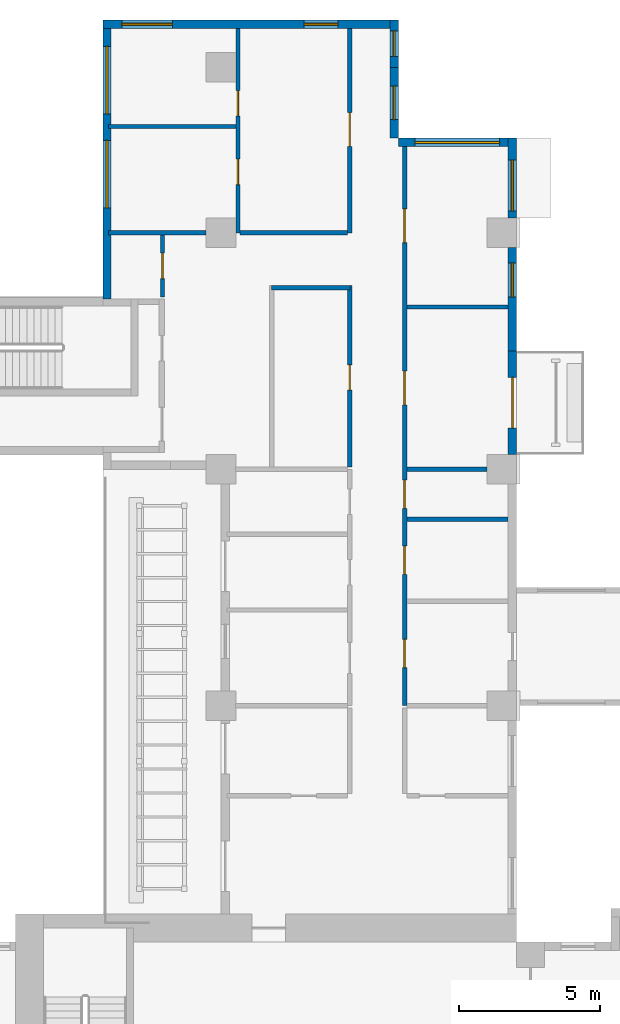
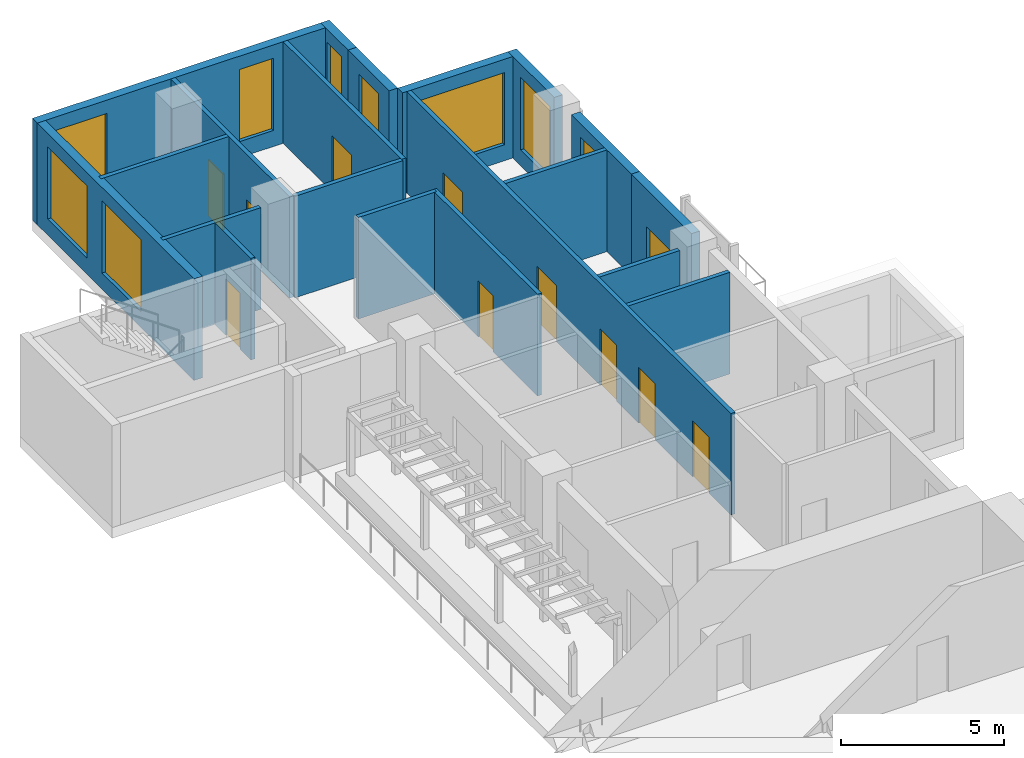
# One storey, part 9 of 16: 20 walls, 11 doors, 9 windows, 20 openings.
"""IFC4 building model written with IfcOpenShell, lengths in metres."""

from ifc_helpers import new_model, si_unit, direction, frame, frame_2d, origin, place, context, subcontext, project, spatial, rectangle, extrude, source, transform, mapped, material, layer, layer_set, type_object, element, fill, save


model = new_model("IFC4")

# Units and contexts
model_context = context("Model", 3, precision=1e-05, world=origin(), true_north=direction((0.0, 1.0)))
body_context = subcontext(model_context, "Body", "Model", "MODEL_VIEW")
ifc_project = project(units=[si_unit("LENGTHUNIT", "METRE"), si_unit("AREAUNIT", "SQUARE_METRE"), si_unit("VOLUMEUNIT", "CUBIC_METRE"), si_unit("PLANEANGLEUNIT", "RADIAN"), si_unit("MASSUNIT", "GRAM", prefix="KILO")], contexts=[model_context])

# Site, building, storey
site_placement = place(None, origin())
site = spatial("IfcSite", under=ifc_project, at=site_placement, CompositionType="ELEMENT")
building_placement = place(site_placement, origin())
building = spatial("IfcBuilding", under=site, at=building_placement, Name="Aurelian Terraces", CompositionType="ELEMENT")
storey_placement = place(building_placement, frame((0.0, 0.0, 124.5)))
storey = spatial("IfcBuildingStorey", under=building, at=storey_placement, Name="L27", CompositionType="ELEMENT", Elevation=124.5)

# Wall, opening, window
ifc_material_1 = material(Name="Terracotta rainscreen cladding", Category="masonry")
ifc_layer_1 = layer(ifc_material_1, 0.3)
ifc_layer_set_1 = layer_set([ifc_layer_1], Name="EW-300")
wall_type_1 = type_object("IfcWallType", Name="EW-300", PredefinedType="STANDARD", material=ifc_layer_set_1)
shared_shape_1 = source(origin(), body_context, "Body", "SweptSolid", [
    extrude(rectangle(XDim=4.2, YDim=0.3, at=frame_2d((2.1, 0.0))), origin(), (0.0, 0.0, 1.0), 3.8),
])
wall_1_placement = place(storey_placement, frame((21.0, 49.41, 0.0), z_axis=(0.0, 0.0, 1.0), x_axis=(-1.0, 0.0, 0.0)))
wall_1 = element("IfcWall", 1, at=wall_1_placement, inside=storey, type_object=wall_type_1, Name="External wall L27 F09.29", PredefinedType="STANDARD", context=body_context, shape_type="MappedRepresentation", body=[
    mapped(shared_shape_1, transform((0.0, 0.0, 0.0), scale=1.0)),
])
shared_shape_2 = source(origin(), body_context, "Body", "SweptSolid", [
    extrude(rectangle(XDim=3.0, YDim=2.7, at=frame_2d((1.5, 1.35))), frame((0.0, 0.16, 0.0), z_axis=(0.0, -1.0, 0.0), x_axis=(1.0, 0.0, 0.0)), (0.0, 0.0, 1.0), 0.32),
])
opening_1_placement = place(wall_1_placement, frame((0.6, 0.0, 0.6)))
opening_1 = element("IfcOpeningElement", 2, at=opening_1_placement, cuts=wall_1, Name="Opening W3027", PredefinedType="OPENING", context=body_context, shape_type="MappedRepresentation", body=[
    mapped(shared_shape_2, transform((0.0, 0.0, 0.0), scale=1.0)),
])
ifc_material_2 = material(Name="Clear glazing", Category="glass")
window_type_1 = type_object("IfcWindowType", Name="W-3000x2700", PartitioningType="SINGLE_PANEL", PredefinedType="WINDOW", material=ifc_material_2)
shared_shape_3 = source(origin(), body_context, "Body", "SweptSolid", [
    extrude(rectangle(XDim=3.0, YDim=2.7, at=frame_2d((1.5, 1.35))), frame((0.0, 0.03, 0.0), z_axis=(0.0, -1.0, 0.0), x_axis=(1.0, 0.0, 0.0)), (0.0, 0.0, 1.0), 0.06),
])
window_1_placement = place(opening_1_placement, origin())
window_1 = element("IfcWindow", 3, at=window_1_placement, inside=storey, type_object=window_type_1, Name="Window L27 L27-F09-29-0", OverallHeight=2.7, OverallWidth=3.0, PartitioningType="SINGLE_PANEL", PredefinedType="WINDOW", context=body_context, shape_type="MappedRepresentation", body=[
    mapped(shared_shape_3, transform((0.0, 0.0, 0.0), scale=1.0)),
])
fill(opening_1, window_1)

shared_shape_4 = source(origin(), body_context, "Body", "SweptSolid", [
    extrude(rectangle(XDim=2.52, YDim=0.3, at=frame_2d((1.26, 0.0))), origin(), (0.0, 0.0, 1.0), 3.8),
])
wall_2_placement = place(storey_placement, frame((16.65, 49.56, 0.0), z_axis=(0.0, 0.0, 1.0), x_axis=(0.0, 1.0, 0.0)))
wall_2 = element("IfcWall", 4, at=wall_2_placement, inside=storey, type_object=wall_type_1, Name="External wall L27 F10.30", PredefinedType="STANDARD", context=body_context, shape_type="MappedRepresentation", body=[
    mapped(shared_shape_4, transform((0.0, 0.0, 0.0), scale=1.0)),
])
shared_shape_5 = source(origin(), body_context, "Body", "SweptSolid", [
    extrude(rectangle(XDim=1.2, YDim=2.7, at=frame_2d((0.6, 1.35))), frame((0.0, 0.16, 0.0), z_axis=(0.0, -1.0, 0.0), x_axis=(1.0, 0.0, 0.0)), (0.0, 0.0, 1.0), 0.32),
])
opening_2_placement = place(wall_2_placement, frame((0.66, 0.0, 0.6)))
opening_2 = element("IfcOpeningElement", 5, at=opening_2_placement, cuts=wall_2, Name="Opening W1227", PredefinedType="OPENING", context=body_context, shape_type="MappedRepresentation", body=[
    mapped(shared_shape_5, transform((0.0, 0.0, 0.0), scale=1.0)),
])
window_type_2 = type_object("IfcWindowType", Name="W-1200x2700", PartitioningType="SINGLE_PANEL", PredefinedType="WINDOW", material=ifc_material_2)
shared_shape_6 = source(origin(), body_context, "Body", "SweptSolid", [
    extrude(rectangle(XDim=1.2, YDim=2.7, at=frame_2d((0.6, 1.35))), frame((0.0, 0.03, 0.0), z_axis=(0.0, -1.0, 0.0), x_axis=(1.0, 0.0, 0.0)), (0.0, 0.0, 1.0), 0.06),
])
window_2_placement = place(opening_2_placement, origin())
window_2 = element("IfcWindow", 6, at=window_2_placement, inside=storey, type_object=window_type_2, Name="Window L27 L27-F10-30-0", OverallHeight=2.7, OverallWidth=1.2, PartitioningType="SINGLE_PANEL", PredefinedType="WINDOW", context=body_context, shape_type="MappedRepresentation", body=[
    mapped(shared_shape_6, transform((0.0, 0.0, 0.0), scale=1.0)),
])
fill(opening_2, window_2)

shared_shape_7 = source(origin(), body_context, "Body", "SweptSolid", [
    extrude(rectangle(XDim=1.68, YDim=0.3, at=frame_2d((0.84, 0.0))), origin(), (0.0, 0.0, 1.0), 3.8),
])
wall_3_placement = place(storey_placement, frame((16.65, 52.08, 0.0), z_axis=(0.0, 0.0, 1.0), x_axis=(0.0, 1.0, 0.0)))
wall_3 = element("IfcWall", 7, at=wall_3_placement, inside=storey, type_object=wall_type_1, Name="External wall L27 F10.31", PredefinedType="STANDARD", context=body_context, shape_type="MappedRepresentation", body=[
    mapped(shared_shape_7, transform((0.0, 0.0, 0.0), scale=1.0)),
])
shared_shape_8 = source(origin(), body_context, "Body", "SweptSolid", [
    extrude(rectangle(XDim=0.9, YDim=2.7, at=frame_2d((0.45, 1.35))), frame((0.0, 0.16, 0.0), z_axis=(0.0, -1.0, 0.0), x_axis=(1.0, 0.0, 0.0)), (0.0, 0.0, 1.0), 0.32),
])
opening_3_placement = place(wall_3_placement, frame((0.39, 0.0, 0.6)))
opening_3 = element("IfcOpeningElement", 8, at=opening_3_placement, cuts=wall_3, Name="Opening W0927", PredefinedType="OPENING", context=body_context, shape_type="MappedRepresentation", body=[
    mapped(shared_shape_8, transform((0.0, 0.0, 0.0), scale=1.0)),
])
window_type_3 = type_object("IfcWindowType", Name="W-900x2700", PartitioningType="SINGLE_PANEL", PredefinedType="WINDOW", material=ifc_material_2)
shared_shape_9 = source(origin(), body_context, "Body", "SweptSolid", [
    extrude(rectangle(XDim=0.9, YDim=2.7, at=frame_2d((0.45, 1.35))), frame((0.0, 0.03, 0.0), z_axis=(0.0, -1.0, 0.0), x_axis=(1.0, 0.0, 0.0)), (0.0, 0.0, 1.0), 0.06),
])
window_3_placement = place(opening_3_placement, origin())
window_3 = element("IfcWindow", 9, at=window_3_placement, inside=storey, type_object=window_type_3, Name="Window L27 L27-F10-31-P0", OverallHeight=2.7, OverallWidth=0.9, PartitioningType="SINGLE_PANEL", PredefinedType="WINDOW", context=body_context, shape_type="MappedRepresentation", body=[
    mapped(shared_shape_9, transform((0.0, 0.0, 0.0), scale=1.0)),
])
fill(opening_3, window_3)

shared_shape_10 = source(origin(), body_context, "Body", "SweptSolid", [
    extrude(rectangle(XDim=2.835, YDim=0.3, at=frame_2d((1.4175, 0.0))), origin(), (0.0, 0.0, 1.0), 3.8),
])
wall_4_placement = place(storey_placement, frame((20.85, 46.725, 0.0), z_axis=(0.0, 0.0, 1.0), x_axis=(0.0, 1.0, 0.0)))
wall_4 = element("IfcWall", 10, at=wall_4_placement, inside=storey, type_object=wall_type_1, Name="External wall L27 F08.28", PredefinedType="STANDARD", context=body_context, shape_type="MappedRepresentation", body=[
    mapped(shared_shape_10, transform((0.0, 0.0, 0.0), scale=1.0)),
])
shared_shape_11 = source(origin(), body_context, "Body", "SweptSolid", [
    extrude(rectangle(XDim=1.8, YDim=2.7, at=frame_2d((0.9, 1.35))), frame((0.0, 0.16, 0.0), z_axis=(0.0, -1.0, 0.0), x_axis=(1.0, 0.0, 0.0)), (0.0, 0.0, 1.0), 0.32),
])
opening_4_placement = place(wall_4_placement, frame((0.255, 0.0, 0.6)))
opening_4 = element("IfcOpeningElement", 11, at=opening_4_placement, cuts=wall_4, Name="Opening W1827", PredefinedType="OPENING", context=body_context, shape_type="MappedRepresentation", body=[
    mapped(shared_shape_11, transform((0.0, 0.0, 0.0), scale=1.0)),
])
window_type_4 = type_object("IfcWindowType", Name="W-1800x2700", PartitioningType="SINGLE_PANEL", PredefinedType="WINDOW", material=ifc_material_2)
shared_shape_12 = source(origin(), body_context, "Body", "SweptSolid", [
    extrude(rectangle(XDim=1.8, YDim=2.7, at=frame_2d((0.9, 1.35))), frame((0.0, 0.03, 0.0), z_axis=(0.0, -1.0, 0.0), x_axis=(1.0, 0.0, 0.0)), (0.0, 0.0, 1.0), 0.06),
])
window_4_placement = place(opening_4_placement, origin())
window_4 = element("IfcWindow", 12, at=window_4_placement, inside=storey, type_object=window_type_4, Name="Window L27 L27-F08-28-0", OverallHeight=2.7, OverallWidth=1.8, PartitioningType="SINGLE_PANEL", PredefinedType="WINDOW", context=body_context, shape_type="MappedRepresentation", body=[
    mapped(shared_shape_12, transform((0.0, 0.0, 0.0), scale=1.0)),
])
fill(opening_4, window_4)

# Wall, openings, windows
shared_shape_13 = source(origin(), body_context, "Body", "SweptSolid", [
    extrude(rectangle(XDim=10.5, YDim=0.3, at=frame_2d((5.25, 0.0))), origin(), (0.0, 0.0, 1.0), 3.8),
])
wall_5_placement = place(storey_placement, frame((16.8, 53.61, 0.0), z_axis=(0.0, 0.0, 1.0), x_axis=(-1.0, 0.0, 0.0)))
wall_5 = element("IfcWall", 13, at=wall_5_placement, inside=storey, type_object=wall_type_1, Name="External wall L27 F11.32", PredefinedType="STANDARD", context=body_context, shape_type="MappedRepresentation", body=[
    mapped(shared_shape_13, transform((0.0, 0.0, 0.0), scale=1.0)),
])
opening_5_placement = place(wall_5_placement, frame((2.15, 0.0, 0.6)))
opening_5 = element("IfcOpeningElement", 14, at=opening_5_placement, cuts=wall_5, Name="Opening W1227", PredefinedType="OPENING", context=body_context, shape_type="MappedRepresentation", body=[
    mapped(shared_shape_5, transform((0.0, 0.0, 0.0), scale=1.0)),
])
opening_6_placement = place(wall_5_placement, frame((8.025, 0.0, 0.6)))
opening_6 = element("IfcOpeningElement", 15, at=opening_6_placement, cuts=wall_5, Name="Opening W1827", PredefinedType="OPENING", context=body_context, shape_type="MappedRepresentation", body=[
    mapped(shared_shape_11, transform((0.0, 0.0, 0.0), scale=1.0)),
])
window_5_placement = place(opening_6_placement, origin())
window_5 = element("IfcWindow", 16, at=window_5_placement, inside=storey, type_object=window_type_4, Name="Window L27 L27-F11-32-2", OverallHeight=2.7, OverallWidth=1.8, PartitioningType="SINGLE_PANEL", PredefinedType="WINDOW", context=body_context, shape_type="MappedRepresentation", body=[
    mapped(shared_shape_12, transform((0.0, 0.0, 0.0), scale=1.0)),
])
fill(opening_6, window_5)
window_6_placement = place(opening_5_placement, origin())
window_6 = element("IfcWindow", 17, at=window_6_placement, inside=storey, type_object=window_type_2, Name="Window L27 L27-F11-32-0", OverallHeight=2.7, OverallWidth=1.2, PartitioningType="SINGLE_PANEL", PredefinedType="WINDOW", context=body_context, shape_type="MappedRepresentation", body=[
    mapped(shared_shape_6, transform((0.0, 0.0, 0.0), scale=1.0)),
])
fill(opening_5, window_6)

shared_shape_14 = source(origin(), body_context, "Body", "SweptSolid", [
    extrude(rectangle(XDim=9.91, YDim=0.3, at=frame_2d((4.955, 0.0))), origin(), (0.0, 0.0, 1.0), 3.8),
])
wall_6_placement = place(storey_placement, frame((6.45, 53.76, 0.0), z_axis=(0.0, 0.0, 1.0), x_axis=(0.0, -1.0, 0.0)))
wall_6 = element("IfcWall", 18, at=wall_6_placement, inside=storey, type_object=wall_type_1, Name="External wall L27 F12.33", PredefinedType="STANDARD", context=body_context, shape_type="MappedRepresentation", body=[
    mapped(shared_shape_14, transform((0.0, 0.0, 0.0), scale=1.0)),
])
shared_shape_15 = source(origin(), body_context, "Body", "SweptSolid", [
    extrude(rectangle(XDim=2.4, YDim=2.7, at=frame_2d((1.2, 1.35))), frame((0.0, 0.16, 0.0), z_axis=(0.0, -1.0, 0.0), x_axis=(1.0, 0.0, 0.0)), (0.0, 0.0, 1.0), 0.32),
])
opening_7_placement = place(wall_6_placement, frame((4.2725, 0.0, 0.6)))
opening_7 = element("IfcOpeningElement", 19, at=opening_7_placement, cuts=wall_6, Name="Opening W2427", PredefinedType="OPENING", context=body_context, shape_type="MappedRepresentation", body=[
    mapped(shared_shape_15, transform((0.0, 0.0, 0.0), scale=1.0)),
])
opening_8_placement = place(wall_6_placement, frame((0.9363, 0.0, 0.6)))
opening_8 = element("IfcOpeningElement", 20, at=opening_8_placement, cuts=wall_6, Name="Opening W2427", PredefinedType="OPENING", context=body_context, shape_type="MappedRepresentation", body=[
    mapped(shared_shape_15, transform((0.0, 0.0, 0.0), scale=1.0)),
])
window_type_5 = type_object("IfcWindowType", Name="W-2400x2700", PartitioningType="SINGLE_PANEL", PredefinedType="WINDOW", material=ifc_material_2)
shared_shape_16 = source(origin(), body_context, "Body", "SweptSolid", [
    extrude(rectangle(XDim=2.4, YDim=2.7, at=frame_2d((1.2, 1.35))), frame((0.0, 0.03, 0.0), z_axis=(0.0, -1.0, 0.0), x_axis=(1.0, 0.0, 0.0)), (0.0, 0.0, 1.0), 0.06),
])
window_7_placement = place(opening_7_placement, origin())
window_7 = element("IfcWindow", 21, at=window_7_placement, inside=storey, type_object=window_type_5, Name="Window L27 L27-F12-33-1", OverallHeight=2.7, OverallWidth=2.4, PartitioningType="SINGLE_PANEL", PredefinedType="WINDOW", context=body_context, shape_type="MappedRepresentation", body=[
    mapped(shared_shape_16, transform((0.0, 0.0, 0.0), scale=1.0)),
])
fill(opening_7, window_7)
window_8_placement = place(opening_8_placement, origin())
window_8 = element("IfcWindow", 22, at=window_8_placement, inside=storey, type_object=window_type_5, Name="Window L27 L27-F12-33-G0-0", OverallHeight=2.7, OverallWidth=2.4, PartitioningType="SINGLE_PANEL", PredefinedType="WINDOW", context=body_context, shape_type="MappedRepresentation", body=[
    mapped(shared_shape_16, transform((0.0, 0.0, 0.0), scale=1.0)),
])
fill(opening_8, window_8)

# Wall, opening, door
shared_shape_17 = source(origin(), body_context, "Body", "SweptSolid", [
    extrude(rectangle(XDim=3.675, YDim=0.3, at=frame_2d((1.8375, 0.0))), origin(), (0.0, 0.0, 1.0), 3.8),
])
wall_7_placement = place(storey_placement, frame((20.85, 38.325, 0.0), z_axis=(0.0, 0.0, 1.0), x_axis=(0.0, 1.0, 0.0)))
wall_7 = element("IfcWall", 23, at=wall_7_placement, inside=storey, type_object=wall_type_1, Name="External wall L27 F08.26", PredefinedType="STANDARD", context=body_context, shape_type="MappedRepresentation", body=[
    mapped(shared_shape_17, transform((0.0, 0.0, 0.0), scale=1.0)),
])
shared_shape_18 = source(origin(), body_context, "Body", "SweptSolid", [
    extrude(rectangle(XDim=1.8, YDim=2.4, at=frame_2d((0.9, 1.2))), frame((0.0, 0.16, 0.0), z_axis=(0.0, -1.0, 0.0), x_axis=(1.0, 0.0, 0.0)), (0.0, 0.0, 1.0), 0.32),
])
opening_9_placement = place(wall_7_placement, frame((0.9375, 0.0, 0.0)))
opening_9 = element("IfcOpeningElement", 24, at=opening_9_placement, cuts=wall_7, Name="Opening 82702", PredefinedType="OPENING", context=body_context, shape_type="MappedRepresentation", body=[
    mapped(shared_shape_18, transform((0.0, 0.0, 0.0), scale=1.0)),
])
door_type_1 = type_object("IfcDoorType", Name="BD-1800x2400", OperationType="SLIDING_TO_LEFT", PredefinedType="DOOR", material=ifc_material_2)
shared_shape_19 = source(origin(), body_context, "Body", "SweptSolid", [
    extrude(rectangle(XDim=1.8, YDim=2.4, at=frame_2d((0.9, 1.2))), frame((0.0, 0.025, 0.0), z_axis=(0.0, -1.0, 0.0), x_axis=(1.0, 0.0, 0.0)), (0.0, 0.0, 1.0), 0.05),
])
door_1_placement = place(opening_9_placement, origin())
door_1 = element("IfcDoor", 25, at=door_1_placement, inside=storey, type_object=door_type_1, Name="Balcony door L27 F08.26", OperationType="SLIDING_TO_LEFT", OverallHeight=2.4, OverallWidth=1.8, PredefinedType="DOOR", context=body_context, shape_type="MappedRepresentation", body=[
    mapped(shared_shape_19, transform((0.0, 0.0, 0.0), scale=1.0)),
])
fill(opening_9, door_1)

# Wall, opening, window
wall_8_placement = place(storey_placement, frame((20.85, 42.0, 0.0), z_axis=(0.0, 0.0, 1.0), x_axis=(0.0, 1.0, 0.0)))
wall_8 = element("IfcWall", 26, at=wall_8_placement, inside=storey, type_object=wall_type_1, Name="External wall L27 F08.27", PredefinedType="STANDARD", context=body_context, shape_type="MappedRepresentation", body=[
    mapped(shared_shape_17, transform((0.0, 0.0, 0.0), scale=1.0)),
])
opening_10_placement = place(wall_8_placement, frame((1.9215, 0.0, 0.6)))
opening_10 = element("IfcOpeningElement", 27, at=opening_10_placement, cuts=wall_8, Name="Opening W1227", PredefinedType="OPENING", context=body_context, shape_type="MappedRepresentation", body=[
    mapped(shared_shape_5, transform((0.0, 0.0, 0.0), scale=1.0)),
])
window_9_placement = place(opening_10_placement, origin())
window_9 = element("IfcWindow", 28, at=window_9_placement, inside=storey, type_object=window_type_2, Name="Window L27 L27-F08-27-0", OverallHeight=2.7, OverallWidth=1.2, PartitioningType="SINGLE_PANEL", PredefinedType="WINDOW", context=body_context, shape_type="MappedRepresentation", body=[
    mapped(shared_shape_6, transform((0.0, 0.0, 0.0), scale=1.0)),
])
fill(opening_10, window_9)

# Wall, opening, door
ifc_material_3 = material(Name="Gypsum board on steel studs", Category="steel")
ifc_layer_2 = layer(ifc_material_3, 0.15)
ifc_layer_set_2 = layer_set([ifc_layer_2], Name="Fire partition 150")
wall_type_2 = type_object("IfcWallType", Name="Fire partition 150", PredefinedType="PARTITIONING", material=ifc_layer_set_2)
shared_shape_20 = source(origin(), body_context, "Body", "SweptSolid", [
    extrude(rectangle(XDim=6.45, YDim=0.15, at=frame_2d((3.225, 0.0))), origin(), (0.0, 0.0, 1.0), 3.8),
])
wall_9_placement = place(storey_placement, frame((15.075, 37.875, 0.0), z_axis=(0.0, 0.0, 1.0), x_axis=(0.0, 1.0, 0.0)))
wall_9 = element("IfcWall", 29, at=wall_9_placement, inside=storey, type_object=wall_type_2, Name="Corridor wall", PredefinedType="PARTITIONING", context=body_context, shape_type="MappedRepresentation", body=[
    mapped(shared_shape_20, transform((0.0, 0.0, 0.0), scale=1.0)),
])
shared_shape_21 = source(origin(), body_context, "Body", "SweptSolid", [
    extrude(rectangle(XDim=0.9, YDim=2.1, at=frame_2d((0.45, 1.05))), frame((0.0, 0.085, 0.0), z_axis=(0.0, -1.0, 0.0), x_axis=(1.0, 0.0, 0.0)), (0.0, 0.0, 1.0), 0.17),
])
opening_11_placement = place(wall_9_placement, frame((2.7375, 0.0, 0.0)))
opening_11 = element("IfcOpeningElement", 30, at=opening_11_placement, cuts=wall_9, Name="Opening 727029", PredefinedType="OPENING", context=body_context, shape_type="MappedRepresentation", body=[
    mapped(shared_shape_21, transform((0.0, 0.0, 0.0), scale=1.0)),
])
ifc_material_4 = material(Name="Timber door leaf", Category="wood")
door_type_2 = type_object("IfcDoorType", Name="Room door 900x2100 right", OperationType="SINGLE_SWING_RIGHT", PredefinedType="DOOR", material=ifc_material_4)
shared_shape_22 = source(origin(), body_context, "Body", "SweptSolid", [
    extrude(rectangle(XDim=0.9, YDim=2.1, at=frame_2d((0.45, 1.05))), frame((0.0, 0.025, 0.0), z_axis=(0.0, -1.0, 0.0), x_axis=(1.0, 0.0, 0.0)), (0.0, 0.0, 1.0), 0.05),
])
door_2_placement = place(opening_11_placement, origin())
door_2 = element("IfcDoor", 31, at=door_2_placement, inside=storey, type_object=door_type_2, Name="Door 727029", OperationType="SINGLE_SWING_RIGHT", OverallHeight=2.1, OverallWidth=0.9, PredefinedType="DOOR", context=body_context, shape_type="MappedRepresentation", body=[
    mapped(shared_shape_22, transform((0.0, 0.0, 0.0), scale=1.0)),
])
fill(opening_11, door_2)

# Walls
ifc_layer_3 = layer(ifc_material_3, 0.15)
ifc_layer_set_3 = layer_set([ifc_layer_3], Name="Partition 150")
wall_type_3 = type_object("IfcWallType", Name="Partition 150", PredefinedType="PARTITIONING", material=ifc_layer_set_3)
shared_shape_23 = source(origin(), body_context, "Body", "SweptSolid", [
    extrude(rectangle(XDim=3.6, YDim=0.15, at=frame_2d((1.8, 0.0))), origin(), (0.0, 0.0, 1.0), 3.8),
])
for number, where, z_axis, x_axis, name in (
    (32, (17.1, 36.024, 0.0), (0.0, 0.0, 1.0), (1.0, 0.0, 0.0), "Partition"),
    (33, (17.1, 43.5675, 0.0), (0.0, 0.0, 1.0), (1.0, 0.0, 0.0), "Partition"),
):
    element("IfcWall", number, at=place(storey_placement, frame(where, z_axis=z_axis, x_axis=x_axis)), inside=storey, type_object=wall_type_3, Name=name, PredefinedType="PARTITIONING", context=body_context, shape_type="MappedRepresentation", body=[
        mapped(shared_shape_23, transform((0.0, 0.0, 0.0), scale=1.0)),
    ])

# Wall, opening, door
shared_shape_24 = source(origin(), body_context, "Body", "SweptSolid", [
    extrude(rectangle(XDim=2.2, YDim=0.15, at=frame_2d((1.1, 0.0))), origin(), (0.0, 0.0, 1.0), 3.8),
])
wall_10_placement = place(storey_placement, frame((8.425, 43.925, 0.0), z_axis=(0.0, 0.0, 1.0), x_axis=(0.0, 1.0, 0.0)))
wall_10 = element("IfcWall", 34, at=wall_10_placement, inside=storey, type_object=wall_type_3, Name="Partition", PredefinedType="PARTITIONING", context=body_context, shape_type="MappedRepresentation", body=[
    mapped(shared_shape_24, transform((0.0, 0.0, 0.0), scale=1.0)),
])
opening_12_placement = place(wall_10_placement, frame((0.65, 0.0, 0.0)))
opening_12 = element("IfcOpeningElement", 35, at=opening_12_placement, cuts=wall_10, Name="Opening 727030", PredefinedType="OPENING", context=body_context, shape_type="MappedRepresentation", body=[
    mapped(shared_shape_21, transform((0.0, 0.0, 0.0), scale=1.0)),
])
door_3_placement = place(opening_12_placement, origin())
door_3 = element("IfcDoor", 36, at=door_3_placement, inside=storey, type_object=door_type_2, Name="Door 727030", OperationType="SINGLE_SWING_RIGHT", OverallHeight=2.1, OverallWidth=0.9, PredefinedType="DOOR", context=body_context, shape_type="MappedRepresentation", body=[
    mapped(shared_shape_22, transform((0.0, 0.0, 0.0), scale=1.0)),
])
fill(opening_12, door_3)

# Wall
shared_shape_25 = source(origin(), body_context, "Body", "SweptSolid", [
    extrude(rectangle(XDim=2.775, YDim=0.15, at=frame_2d((1.3875, 0.0))), origin(), (0.0, 0.0, 1.0), 3.8),
])
wall_11_placement = place(storey_placement, frame((15.075, 44.25, 0.0), z_axis=(0.0, 0.0, 1.0), x_axis=(-1.0, 0.0, 0.0)))
element("IfcWall", 37, at=wall_11_placement, inside=storey, type_object=wall_type_3, Name="Partition", PredefinedType="PARTITIONING", context=body_context, shape_type="MappedRepresentation", body=[
    mapped(shared_shape_25, transform((0.0, 0.0, 0.0), scale=1.0)),
])

# Wall, openings, doors
shared_shape_26 = source(origin(), body_context, "Body", "SweptSolid", [
    extrude(rectangle(XDim=7.26, YDim=0.15, at=frame_2d((3.63, 0.0))), origin(), (0.0, 0.0, 1.0), 3.8),
])
wall_12_placement = place(storey_placement, frame((11.1, 46.2, 0.0), z_axis=(0.0, 0.0, 1.0), x_axis=(0.0, 1.0, 0.0)))
wall_12 = element("IfcWall", 38, at=wall_12_placement, inside=storey, type_object=wall_type_3, Name="Partition", PredefinedType="PARTITIONING", context=body_context, shape_type="MappedRepresentation", body=[
    mapped(shared_shape_26, transform((0.0, 0.0, 0.0), scale=1.0)),
])
opening_13_placement = place(wall_12_placement, frame((1.715, 0.0, 0.0)))
opening_13 = element("IfcOpeningElement", 39, at=opening_13_placement, cuts=wall_12, Name="Opening 727035", PredefinedType="OPENING", context=body_context, shape_type="MappedRepresentation", body=[
    mapped(shared_shape_21, transform((0.0, 0.0, 0.0), scale=1.0)),
])
opening_14_placement = place(wall_12_placement, frame((4.155, 0.0, 0.0)))
opening_14 = element("IfcOpeningElement", 40, at=opening_14_placement, cuts=wall_12, Name="Opening 727036", PredefinedType="OPENING", context=body_context, shape_type="MappedRepresentation", body=[
    mapped(shared_shape_21, transform((0.0, 0.0, 0.0), scale=1.0)),
])
door_4_placement = place(opening_13_placement, origin())
door_4 = element("IfcDoor", 41, at=door_4_placement, inside=storey, type_object=door_type_2, Name="Door 727035", OperationType="SINGLE_SWING_RIGHT", OverallHeight=2.1, OverallWidth=0.9, PredefinedType="DOOR", context=body_context, shape_type="MappedRepresentation", body=[
    mapped(shared_shape_22, transform((0.0, 0.0, 0.0), scale=1.0)),
])
fill(opening_13, door_4)
door_type_3 = type_object("IfcDoorType", Name="Room door 900x2100 left", OperationType="SINGLE_SWING_LEFT", PredefinedType="DOOR", material=ifc_material_4)
door_5_placement = place(opening_14_placement, origin())
door_5 = element("IfcDoor", 42, at=door_5_placement, inside=storey, type_object=door_type_3, Name="Door 727036", OperationType="SINGLE_SWING_LEFT", OverallHeight=2.1, OverallWidth=0.9, PredefinedType="DOOR", context=body_context, shape_type="MappedRepresentation", body=[
    mapped(shared_shape_22, transform((0.0, 0.0, 0.0), scale=1.0)),
])
fill(opening_14, door_5)

# Wall, opening, door
wall_13_placement = place(storey_placement, frame((15.075, 46.2, 0.0), z_axis=(0.0, 0.0, 1.0), x_axis=(0.0, 1.0, 0.0)))
wall_13 = element("IfcWall", 43, at=wall_13_placement, inside=storey, type_object=wall_type_2, Name="Corridor wall", PredefinedType="PARTITIONING", context=body_context, shape_type="MappedRepresentation", body=[
    mapped(shared_shape_26, transform((0.0, 0.0, 0.0), scale=1.0)),
])
shared_shape_27 = source(origin(), body_context, "Body", "SweptSolid", [
    extrude(rectangle(XDim=1.2, YDim=2.1, at=frame_2d((0.6, 1.05))), frame((0.0, 0.085, 0.0), z_axis=(0.0, -1.0, 0.0), x_axis=(1.0, 0.0, 0.0)), (0.0, 0.0, 1.0), 0.17),
])
opening_15_placement = place(wall_13_placement, frame((3.0675, 0.0, 0.0)))
opening_15 = element("IfcOpeningElement", 44, at=opening_15_placement, cuts=wall_13, Name="Opening 727034", PredefinedType="OPENING", context=body_context, shape_type="MappedRepresentation", body=[
    mapped(shared_shape_27, transform((0.0, 0.0, 0.0), scale=1.0)),
])
door_type_4 = type_object("IfcDoorType", Name="Room door 1200x2100 left", OperationType="SINGLE_SWING_LEFT", PredefinedType="DOOR", material=ifc_material_4)
shared_shape_28 = source(origin(), body_context, "Body", "SweptSolid", [
    extrude(rectangle(XDim=1.2, YDim=2.1, at=frame_2d((0.6, 1.05))), frame((0.0, 0.025, 0.0), z_axis=(0.0, -1.0, 0.0), x_axis=(1.0, 0.0, 0.0)), (0.0, 0.0, 1.0), 0.05),
])
door_6_placement = place(opening_15_placement, origin())
door_6 = element("IfcDoor", 45, at=door_6_placement, inside=storey, type_object=door_type_4, Name="Door 727034", OperationType="SINGLE_SWING_LEFT", OverallHeight=2.1, OverallWidth=1.2, PredefinedType="DOOR", context=body_context, shape_type="MappedRepresentation", body=[
    mapped(shared_shape_28, transform((0.0, 0.0, 0.0), scale=1.0)),
])
fill(opening_15, door_6)

# Walls
shared_shape_29 = source(origin(), body_context, "Body", "SweptSolid", [
    extrude(rectangle(XDim=3.825, YDim=0.15, at=frame_2d((1.9125, 0.0))), origin(), (0.0, 0.0, 1.0), 3.8),
])
wall_14_placement = place(storey_placement, frame((15.0, 46.2, 0.0), z_axis=(0.0, 0.0, 1.0), x_axis=(-1.0, 0.0, 0.0)))
element("IfcWall", 46, at=wall_14_placement, inside=storey, type_object=wall_type_3, Name="Partition", PredefinedType="PARTITIONING", context=body_context, shape_type="MappedRepresentation", body=[
    mapped(shared_shape_29, transform((0.0, 0.0, 0.0), scale=1.0)),
])
shared_shape_30 = source(origin(), body_context, "Body", "SweptSolid", [
    extrude(rectangle(XDim=2.851, YDim=0.15, at=frame_2d((1.4255, 0.0))), origin(), (0.0, 0.0, 1.0), 3.8),
])
wall_15_placement = place(storey_placement, frame((19.951, 37.8, 0.0), z_axis=(0.0, 0.0, 1.0), x_axis=(-1.0, 0.0, 0.0)))
element("IfcWall", 47, at=wall_15_placement, inside=storey, type_object=wall_type_3, Name="Partition", PredefinedType="PARTITIONING", context=body_context, shape_type="MappedRepresentation", body=[
    mapped(shared_shape_30, transform((0.0, 0.0, 0.0), scale=1.0)),
])
shared_shape_31 = source(origin(), body_context, "Body", "SweptSolid", [
    extrude(rectangle(XDim=3.471, YDim=0.15, at=frame_2d((1.7355, 0.0))), origin(), (0.0, 0.0, 1.0), 3.8),
])
wall_16_placement = place(storey_placement, frame((9.976, 46.2, 0.0), z_axis=(0.0, 0.0, 1.0), x_axis=(-1.0, 0.0, 0.0)))
element("IfcWall", 48, at=wall_16_placement, inside=storey, type_object=wall_type_3, Name="Partition", PredefinedType="PARTITIONING", context=body_context, shape_type="MappedRepresentation", body=[
    mapped(shared_shape_31, transform((0.0, 0.0, 0.0), scale=1.0)),
])
shared_shape_32 = source(origin(), body_context, "Body", "SweptSolid", [
    extrude(rectangle(XDim=4.52, YDim=0.15, at=frame_2d((2.26, 0.0))), origin(), (0.0, 0.0, 1.0), 3.8),
])
wall_17_placement = place(storey_placement, frame((11.025, 49.98, 0.0), z_axis=(0.0, 0.0, 1.0), x_axis=(-1.0, 0.0, 0.0)))
element("IfcWall", 49, at=wall_17_placement, inside=storey, type_object=wall_type_3, Name="Partition", PredefinedType="PARTITIONING", context=body_context, shape_type="MappedRepresentation", body=[
    mapped(shared_shape_32, transform((0.0, 0.0, 0.0), scale=1.0)),
])

# Wall, openings, doors
shared_shape_33 = source(origin(), body_context, "Body", "SweptSolid", [
    extrude(rectangle(XDim=19.86, YDim=0.15, at=frame_2d((9.93, 0.0))), origin(), (0.0, 0.0, 1.0), 3.8),
])
wall_18_placement = place(storey_placement, frame((17.025, 49.26, 0.0), z_axis=(0.0, 0.0, 1.0), x_axis=(0.0, -1.0, 0.0)))
wall_18 = element("IfcWall", 50, at=wall_18_placement, inside=storey, type_object=wall_type_2, Name="Corridor wall", PredefinedType="PARTITIONING", context=body_context, shape_type="MappedRepresentation", body=[
    mapped(shared_shape_33, transform((0.0, 0.0, 0.0), scale=1.0)),
])
shared_shape_34 = source(origin(), body_context, "Body", "SweptSolid", [
    extrude(rectangle(XDim=1.0, YDim=2.1, at=frame_2d((0.5, 1.05))), frame((0.0, 0.085, 0.0), z_axis=(0.0, -1.0, 0.0), x_axis=(1.0, 0.0, 0.0)), (0.0, 0.0, 1.0), 0.17),
])
opening_16_placement = place(wall_18_placement, frame((17.5033, 0.0, 0.0)))
opening_16 = element("IfcOpeningElement", 51, at=opening_16_placement, cuts=wall_18, Name="Opening 727037", PredefinedType="OPENING", context=body_context, shape_type="MappedRepresentation", body=[
    mapped(shared_shape_34, transform((0.0, 0.0, 0.0), scale=1.0)),
])
opening_17_placement = place(wall_18_placement, frame((14.1914, 0.0, 0.0)))
opening_17 = element("IfcOpeningElement", 52, at=opening_17_placement, cuts=wall_18, Name="Opening 727038", PredefinedType="OPENING", context=body_context, shape_type="MappedRepresentation", body=[
    mapped(shared_shape_34, transform((0.0, 0.0, 0.0), scale=1.0)),
])
opening_18_placement = place(wall_18_placement, frame((11.848, 0.0, 0.0)))
opening_18 = element("IfcOpeningElement", 53, at=opening_18_placement, cuts=wall_18, Name="Opening 727039", PredefinedType="OPENING", context=body_context, shape_type="MappedRepresentation", body=[
    mapped(shared_shape_34, transform((0.0, 0.0, 0.0), scale=1.0)),
])
opening_19_placement = place(wall_18_placement, frame((7.9762, 0.0, 0.0)))
opening_19 = element("IfcOpeningElement", 54, at=opening_19_placement, cuts=wall_18, Name="Opening 727040", PredefinedType="OPENING", context=body_context, shape_type="MappedRepresentation", body=[
    mapped(shared_shape_27, transform((0.0, 0.0, 0.0), scale=1.0)),
])
opening_20_placement = place(wall_18_placement, frame((2.2088, 0.0, 0.0)))
opening_20 = element("IfcOpeningElement", 55, at=opening_20_placement, cuts=wall_18, Name="Opening 727041", PredefinedType="OPENING", context=body_context, shape_type="MappedRepresentation", body=[
    mapped(shared_shape_27, transform((0.0, 0.0, 0.0), scale=1.0)),
])
door_type_5 = type_object("IfcDoorType", Name="Room door 1000x2100 left", OperationType="SINGLE_SWING_LEFT", PredefinedType="DOOR", material=ifc_material_4)
shared_shape_35 = source(origin(), body_context, "Body", "SweptSolid", [
    extrude(rectangle(XDim=1.0, YDim=2.1, at=frame_2d((0.5, 1.05))), frame((0.0, 0.025, 0.0), z_axis=(0.0, -1.0, 0.0), x_axis=(1.0, 0.0, 0.0)), (0.0, 0.0, 1.0), 0.05),
])
door_7_placement = place(opening_16_placement, origin())
door_7 = element("IfcDoor", 56, at=door_7_placement, inside=storey, type_object=door_type_5, Name="Door 727037", OperationType="SINGLE_SWING_LEFT", OverallHeight=2.1, OverallWidth=1.0, PredefinedType="DOOR", context=body_context, shape_type="MappedRepresentation", body=[
    mapped(shared_shape_35, transform((0.0, 0.0, 0.0), scale=1.0)),
])
fill(opening_16, door_7)
door_type_6 = type_object("IfcDoorType", Name="Room door 1000x2100 right", OperationType="SINGLE_SWING_RIGHT", PredefinedType="DOOR", material=ifc_material_4)
door_8_placement = place(opening_17_placement, origin())
door_8 = element("IfcDoor", 57, at=door_8_placement, inside=storey, type_object=door_type_6, Name="Door 727038", OperationType="SINGLE_SWING_RIGHT", OverallHeight=2.1, OverallWidth=1.0, PredefinedType="DOOR", context=body_context, shape_type="MappedRepresentation", body=[
    mapped(shared_shape_35, transform((0.0, 0.0, 0.0), scale=1.0)),
])
fill(opening_17, door_8)
door_9_placement = place(opening_18_placement, origin())
door_9 = element("IfcDoor", 58, at=door_9_placement, inside=storey, type_object=door_type_5, Name="Door 727039", OperationType="SINGLE_SWING_LEFT", OverallHeight=2.1, OverallWidth=1.0, PredefinedType="DOOR", context=body_context, shape_type="MappedRepresentation", body=[
    mapped(shared_shape_35, transform((0.0, 0.0, 0.0), scale=1.0)),
])
fill(opening_18, door_9)
door_10_placement = place(opening_19_placement, origin())
door_10 = element("IfcDoor", 59, at=door_10_placement, inside=storey, type_object=door_type_4, Name="Door 727040", OperationType="SINGLE_SWING_LEFT", OverallHeight=2.1, OverallWidth=1.2, PredefinedType="DOOR", context=body_context, shape_type="MappedRepresentation", body=[
    mapped(shared_shape_28, transform((0.0, 0.0, 0.0), scale=1.0)),
])
fill(opening_19, door_10)
door_type_7 = type_object("IfcDoorType", Name="Room door 1200x2100 right", OperationType="SINGLE_SWING_RIGHT", PredefinedType="DOOR", material=ifc_material_4)
door_11_placement = place(opening_20_placement, origin())
door_11 = element("IfcDoor", 60, at=door_11_placement, inside=storey, type_object=door_type_7, Name="Door 727041", OperationType="SINGLE_SWING_RIGHT", OverallHeight=2.1, OverallWidth=1.2, PredefinedType="DOOR", context=body_context, shape_type="MappedRepresentation", body=[
    mapped(shared_shape_28, transform((0.0, 0.0, 0.0), scale=1.0)),
])
fill(opening_20, door_11)

save(model, "model.ifc")
